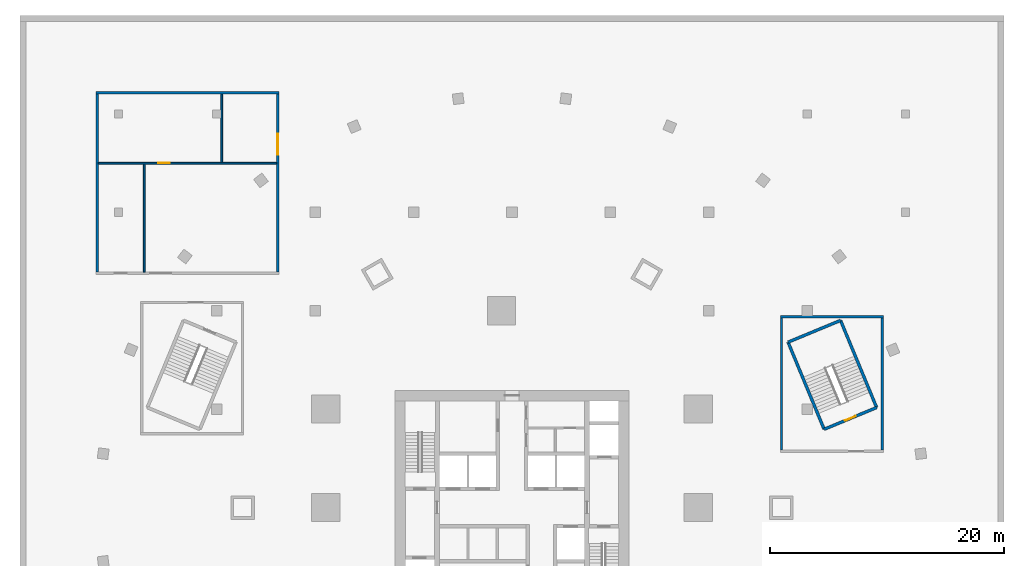
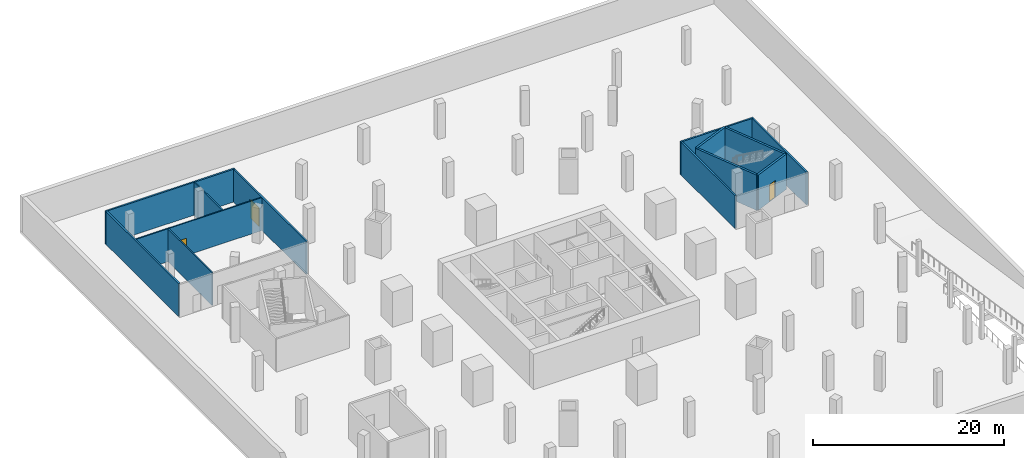
# One storey, part 6 of 9: 13 walls, 3 doors, 3 openings.
"""IFC4 building model written with IfcOpenShell, lengths in metres."""

from ifc_helpers import new_model, si_unit, direction, frame, frame_2d, origin, place, context, subcontext, project, spatial, rectangle, extrude, material, layer, layer_set, type_object, element, fill, save


model = new_model("IFC4")

# Units and contexts
model_context = context("Model", 3, precision=1e-05, world=origin(), true_north=direction((0.0, 1.0)))
body_context = subcontext(model_context, "Body", "Model", "MODEL_VIEW")
ifc_project = project(units=[si_unit("LENGTHUNIT", "METRE"), si_unit("AREAUNIT", "SQUARE_METRE"), si_unit("VOLUMEUNIT", "CUBIC_METRE"), si_unit("PLANEANGLEUNIT", "RADIAN"), si_unit("MASSUNIT", "GRAM", prefix="KILO")], contexts=[model_context])

# Site, building, storey
site_placement = place(None, origin())
site = spatial("IfcSite", under=ifc_project, at=site_placement, CompositionType="ELEMENT")
building_placement = place(site_placement, origin())
building = spatial("IfcBuilding", under=site, at=building_placement, Name="Golbaran Civic Tower", CompositionType="ELEMENT")
storey_placement = place(building_placement, frame((0.0, 0.0, -9.0)))
storey = spatial("IfcBuildingStorey", under=building, at=storey_placement, Name="B2", CompositionType="ELEMENT", Elevation=-9.0)

# Wall, opening, door
ifc_material_1 = material(Name="Concrete block, fire-rated", Category="concrete")
ifc_layer_1 = layer(ifc_material_1, 0.14990234375, Name="Concrete block, fire-rated")
ifc_layer_set_1 = layer_set([ifc_layer_1], Name="Concrete block, fire-rated")
wall_type_1 = type_object("IfcWallType", Name="BASEMENT ROOM PARTITION 150", PredefinedType="PARTITIONING", material=ifc_layer_set_1)
wall_1_placement = place(storey_placement, frame((-35.300048828125, 29.39990234375, 0.0), z_axis=(0.0, 0.0, 1.0), x_axis=(1.0, 0.0, 0.0)))
wall_1 = element("IfcWall", 1, at=wall_1_placement, inside=storey, type_object=wall_type_1, Name="Basement room partition B2", PredefinedType="PARTITIONING", context=body_context, shape_type="SweptSolid", body=[
    extrude(rectangle(XDim=15.199951171875, YDim=0.14990234375, at=frame_2d((7.60009765625, 0.0))), origin(), (0.0, 0.0, 1.0), 4.199951171875),
])
opening_1_placement = place(wall_1_placement, frame((5.10009765625, 0.0, 0.0)))
opening_1 = element("IfcOpeningElement", 2, at=opening_1_placement, cuts=wall_1, Name="Opening B2.02", PredefinedType="OPENING", context=body_context, shape_type="SweptSolid", body=[
    extrude(rectangle(XDim=1.0, YDim=2.199951171875, at=frame_2d((0.5, 1.10009765625))), frame((0.0, 0.0849609375, 0.0), z_axis=(0.0, -1.0, 0.0), x_axis=(1.0, 0.0, 0.0)), (0.0, 0.0, 1.0), 0.169921875),
])
ifc_material_2 = material(Name="Steel door set, fire-rated", Category="steel")
door_type_1 = type_object("IfcDoorType", Name="BASEMENT ROOM DOOR 1000x2200", OperationType="SINGLE_SWING_LEFT", PredefinedType="DOOR", material=ifc_material_2)
door_1_placement = place(opening_1_placement, origin())
door_1 = element("IfcDoor", 3, at=door_1_placement, inside=storey, type_object=door_type_1, Name="Archive Store door B2", OperationType="SINGLE_SWING_LEFT", OverallHeight=2.199951171875, OverallWidth=1.0, PredefinedType="DOOR", context=body_context, shape_type="SweptSolid", body=[
    extrude(rectangle(XDim=1.0, YDim=2.199951171875, at=frame_2d((0.5, 1.10009765625))), frame((0.0, 0.02490234375, 0.0), z_axis=(0.0, -1.0, 0.0), x_axis=(1.0, 0.0, 0.0)), (0.0, 0.0, 1.0), 0.050048828125),
])
fill(opening_1, door_1)

# Walls
wall_2_placement = place(storey_placement, frame((-31.39990234375, 20.10009765625, 0.0), z_axis=(0.0, 0.0, 1.0), x_axis=(0.0, 1.0, 0.0)))
element("IfcWall", 4, at=wall_2_placement, inside=storey, type_object=wall_type_1, Name="Basement room partition B2", PredefinedType="PARTITIONING", context=body_context, shape_type="SweptSolid", body=[
    extrude(rectangle(XDim=9.224853515625, YDim=0.14990234375, at=frame_2d((4.6123046875, 0.0))), origin(), (0.0, 0.0, 1.0), 4.199951171875),
])
wall_3_placement = place(storey_placement, frame((-24.77490234375, 29.47509765625, 0.0), z_axis=(0.0, 0.0, 1.0), x_axis=(0.0, 1.0, 0.0)))
element("IfcWall", 5, at=wall_3_placement, inside=storey, type_object=wall_type_1, Name="Basement room partition B2", PredefinedType="PARTITIONING", context=body_context, shape_type="SweptSolid", body=[
    extrude(rectangle(XDim=5.824951171875, YDim=0.14990234375, at=frame_2d((2.91259765625, 0.0))), origin(), (0.0, 0.0, 1.0), 4.199951171875),
])

# Wall, opening, door
ifc_layer_2 = layer(ifc_material_1, 0.199951171875, Name="Concrete block, fire-rated")
ifc_layer_set_2 = layer_set([ifc_layer_2], Name="Concrete block, fire-rated")
wall_type_2 = type_object("IfcWallType", Name="BASEMENT ROOM WALL 200", PredefinedType="PARTITIONING", material=ifc_layer_set_2)
wall_4_placement = place(storey_placement, frame((-20.0, 20.10009765625, 0.0), z_axis=(0.0, 0.0, 1.0), x_axis=(0.0, 1.0, 0.0)))
wall_4 = element("IfcWall", 6, at=wall_4_placement, inside=storey, type_object=wall_type_2, Name="Secure Archive wall B2", PredefinedType="PARTITIONING", context=body_context, shape_type="SweptSolid", body=[
    extrude(rectangle(XDim=15.199951171875, YDim=0.199951171875, at=frame_2d((7.60009765625, 0.0))), origin(), (0.0, 0.0, 1.0), 4.199951171875),
])
opening_2_placement = place(wall_4_placement, frame((10.0, 0.0, 0.0)))
opening_2 = element("IfcOpeningElement", 7, at=opening_2_placement, cuts=wall_4, Name="Opening B2.01", PredefinedType="OPENING", context=body_context, shape_type="SweptSolid", body=[
    extrude(rectangle(XDim=1.800048828125, YDim=2.39990234375, at=frame_2d((0.89990234375, 1.199951171875))), frame((0.0, 0.10986328125, 0.0), z_axis=(0.0, -1.0, 0.0), x_axis=(1.0, 0.0, 0.0)), (0.0, 0.0, 1.0), 0.219970703125),
])
door_type_2 = type_object("IfcDoorType", Name="BASEMENT ROOM DOUBLE DOOR 1800x2400", OperationType="DOUBLE_DOOR_SINGLE_SWING", PredefinedType="DOOR", material=ifc_material_2)
door_2_placement = place(opening_2_placement, origin())
door_2 = element("IfcDoor", 8, at=door_2_placement, inside=storey, type_object=door_type_2, Name="Archive Office door B2", OperationType="DOUBLE_DOOR_SINGLE_SWING", OverallHeight=2.39990234375, OverallWidth=1.800048828125, PredefinedType="DOOR", context=body_context, shape_type="SweptSolid", body=[
    extrude(rectangle(XDim=1.800048828125, YDim=2.39990234375, at=frame_2d((0.89990234375, 1.199951171875))), frame((0.0, 0.02490234375, 0.0), z_axis=(0.0, -1.0, 0.0), x_axis=(1.0, 0.0, 0.0)), (0.0, 0.0, 1.0), 0.050048828125),
])
fill(opening_2, door_2)

# Walls
wall_5_placement = place(storey_placement, frame((-19.89990234375, 35.39990234375, 0.0), z_axis=(0.0, 0.0, 1.0), x_axis=(-1.0, 0.0, 0.0)))
element("IfcWall", 9, at=wall_5_placement, inside=storey, type_object=wall_type_2, Name="Secure Archive wall B2", PredefinedType="PARTITIONING", context=body_context, shape_type="SweptSolid", body=[
    extrude(rectangle(XDim=15.60009765625, YDim=0.199951171875, at=frame_2d((7.800048828125, 0.0))), origin(), (0.0, 0.0, 1.0), 4.199951171875),
])
wall_6_placement = place(storey_placement, frame((-35.39990234375, 35.300048828125, 0.0), z_axis=(0.0, 0.0, 1.0), x_axis=(0.0, -1.0, 0.0)))
element("IfcWall", 10, at=wall_6_placement, inside=storey, type_object=wall_type_2, Name="Secure Archive wall B2", PredefinedType="PARTITIONING", context=body_context, shape_type="SweptSolid", body=[
    extrude(rectangle(XDim=15.199951171875, YDim=0.199951171875, at=frame_2d((7.60009765625, 0.0))), origin(), (0.0, 0.0, 1.0), 4.199951171875),
])

# Wall, opening, door
ifc_material_3 = material(Name="Concrete C50/60", Category="concrete")
ifc_layer_3 = layer(ifc_material_3, 0.25, Name="Concrete C50/60")
ifc_layer_set_3 = layer_set([ifc_layer_3], Name="Concrete C50/60")
wall_type_3 = type_object("IfcWallType", Name="STAIR ENCLOSURE WALL CONCRETE 250", PredefinedType="SOLIDWALL", material=ifc_layer_set_3)
wall_7_placement = place(storey_placement, frame((31.12744140625, 8.536865234375, 0.0), z_axis=(0.0, 0.0, 1.0), x_axis=(-0.923880627248, -0.382680789426, 0.0)))
wall_7 = element("IfcWall", 11, at=wall_7_placement, inside=storey, type_object=wall_type_3, Name="Stair P1 enclosure A B2", PredefinedType="SOLIDWALL", context=body_context, shape_type="SweptSolid", body=[
    extrude(rectangle(XDim=4.849853515625, YDim=0.25, at=frame_2d((2.4248046875, 0.0))), origin(), (0.0, 0.0, 1.0), 4.5),
])
opening_3_placement = place(wall_7_placement, frame((1.925048828125, 0.0, 0.0)))
opening_3 = element("IfcOpeningElement", 12, at=opening_3_placement, cuts=wall_7, Name="Opening B2.P1", PredefinedType="OPENING", context=body_context, shape_type="SweptSolid", body=[
    extrude(rectangle(XDim=1.0, YDim=2.199951171875, at=frame_2d((0.5, 1.10009765625))), frame((0.0, 0.135009765625, 0.0), z_axis=(0.0, -1.0, 0.0), x_axis=(1.0, 0.0, 0.0)), (0.0, 0.0, 1.0), 0.27001953125),
])
ifc_material_4 = material(Name="Timber door set in steel frame", Category="steel")
door_type_3 = type_object("IfcDoorType", Name="STAIR DOOR 1000x2200", OperationType="SINGLE_SWING_LEFT", PredefinedType="DOOR", material=ifc_material_4)
door_3_placement = place(opening_3_placement, origin())
door_3 = element("IfcDoor", 13, at=door_3_placement, inside=storey, type_object=door_type_3, Name="Stair P1 door", OperationType="SINGLE_SWING_RIGHT", OverallHeight=2.199951171875, OverallWidth=1.0, PredefinedType="DOOR", context=body_context, shape_type="SweptSolid", body=[
    extrude(rectangle(XDim=1.0, YDim=2.199951171875, at=frame_2d((0.5, 1.10009765625))), frame((0.0, 0.02490234375, 0.0), z_axis=(0.0, -1.0, 0.0), x_axis=(1.0, 0.0, 0.0)), (0.0, 0.0, 1.0), 0.050048828125),
])
fill(opening_3, door_3)

# Walls
wall_8_placement = place(storey_placement, frame((26.646728515625, 6.680908203125, 0.0), z_axis=(0.0, 0.0, 1.0), x_axis=(-0.382689294869, 0.923877104161, 0.0)))
element("IfcWall", 14, at=wall_8_placement, inside=storey, type_object=wall_type_3, Name="Stair P1 enclosure B B2", PredefinedType="SOLIDWALL", context=body_context, shape_type="SweptSolid", body=[
    extrude(rectangle(XDim=8.0498046875, YDim=0.25, at=frame_2d((4.02490234375, 0.0))), origin(), (0.0, 0.0, 1.0), 4.5),
])
wall_9_placement = place(storey_placement, frame((23.566162109375, 14.117919921875, 0.0), z_axis=(0.0, 0.0, 1.0), x_axis=(0.923862828997, 0.382723755727, 0.0)))
element("IfcWall", 15, at=wall_9_placement, inside=storey, type_object=wall_type_3, Name="Stair P1 enclosure C B2", PredefinedType="SOLIDWALL", context=body_context, shape_type="SweptSolid", body=[
    extrude(rectangle(XDim=4.85009765625, YDim=0.25, at=frame_2d((2.425048828125, 0.0))), origin(), (0.0, 0.0, 1.0), 4.5),
])
wall_10_placement = place(storey_placement, frame((28.046875, 15.97412109375, 0.0), z_axis=(0.0, 0.0, 1.0), x_axis=(0.382678572144, -0.923881545666, 0.0)))
element("IfcWall", 16, at=wall_10_placement, inside=storey, type_object=wall_type_3, Name="Stair P1 enclosure D B2", PredefinedType="SOLIDWALL", context=body_context, shape_type="SweptSolid", body=[
    extrude(rectangle(XDim=8.050048828125, YDim=0.25, at=frame_2d((4.02490234375, 0.0))), origin(), (0.0, 0.0, 1.0), 4.5),
])
ifc_material_5 = material(Name="Reinforced blockwork, fire-rated", Category="masonry")
ifc_layer_4 = layer(ifc_material_5, 0.199951171875, Name="Reinforced blockwork, fire-rated")
ifc_layer_set_4 = layer_set([ifc_layer_4], Name="Reinforced blockwork, fire-rated")
wall_type_4 = type_object("IfcWallType", Name="STAIR LOBBY WALL 200", PredefinedType="PARTITIONING", material=ifc_layer_set_4)
wall_11_placement = place(storey_placement, frame((31.60009765625, 4.89990234375, 0.0), z_axis=(0.0, 0.0, 1.0), x_axis=(0.0, 1.0, 0.0)))
element("IfcWall", 17, at=wall_11_placement, inside=storey, type_object=wall_type_4, Name="Stair P1 lobby wall B2", PredefinedType="PARTITIONING", context=body_context, shape_type="SweptSolid", body=[
    extrude(rectangle(XDim=11.300048828125, YDim=0.199951171875, at=frame_2d((5.64990234375, 0.0))), origin(), (0.0, 0.0, 1.0), 4.199951171875),
])
wall_12_placement = place(storey_placement, frame((31.699951171875, 16.300048828125, 0.0), z_axis=(0.0, 0.0, 1.0), x_axis=(-1.0, 0.0, 0.0)))
element("IfcWall", 18, at=wall_12_placement, inside=storey, type_object=wall_type_4, Name="Stair P1 lobby wall B2", PredefinedType="PARTITIONING", context=body_context, shape_type="SweptSolid", body=[
    extrude(rectangle(XDim=8.800048828125, YDim=0.199951171875, at=frame_2d((4.39990234375, 0.0))), origin(), (0.0, 0.0, 1.0), 4.199951171875),
])
wall_13_placement = place(storey_placement, frame((23.0, 16.199951171875, 0.0), z_axis=(0.0, 0.0, 1.0), x_axis=(0.0, -1.0, 0.0)))
element("IfcWall", 19, at=wall_13_placement, inside=storey, type_object=wall_type_4, Name="Stair P1 lobby wall B2", PredefinedType="PARTITIONING", context=body_context, shape_type="SweptSolid", body=[
    extrude(rectangle(XDim=11.300048828125, YDim=0.199951171875, at=frame_2d((5.64990234375, 0.0))), origin(), (0.0, 0.0, 1.0), 4.199951171875),
])

save(model, "model.ifc")
